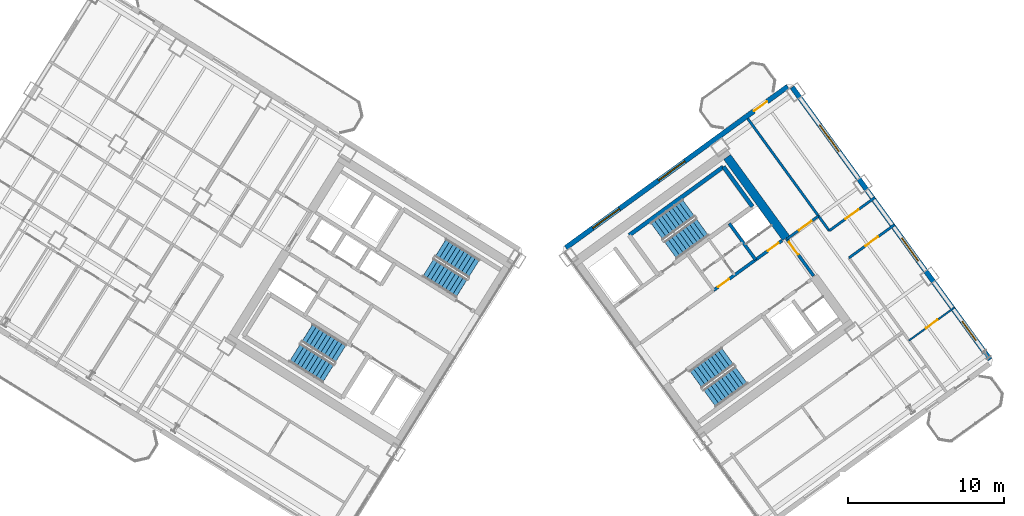
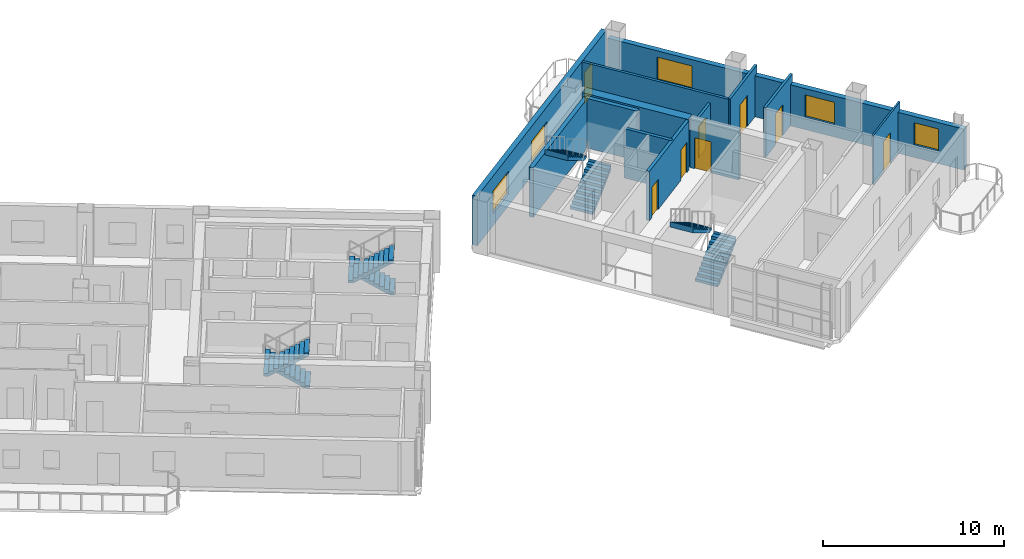
# One storey, part 14 of 18: 13 walls, 8 doors, 8 stair flights, 5 windows, 13 openings, 4 elements without a shape of their own.
"""IFC4 building model written with IfcOpenShell, lengths in metres."""

from ifc_helpers import new_model, si_unit, direction, frame, frame_2d, origin, place, context, subcontext, project, spatial, polyline, rectangle, outline, extrude, source, transform, mapped, material, layer, layer_set, type_object, element, fill, aggregate, save


model = new_model("IFC4")

# Units and contexts
model_context = context("Model", 3, precision=1e-05, world=origin(), true_north=direction((0.0, 1.0)))
body_context = subcontext(model_context, "Body", "Model", "MODEL_VIEW")
ifc_project = project(units=[si_unit("LENGTHUNIT", "METRE"), si_unit("AREAUNIT", "SQUARE_METRE"), si_unit("VOLUMEUNIT", "CUBIC_METRE"), si_unit("PLANEANGLEUNIT", "RADIAN"), si_unit("MASSUNIT", "GRAM", prefix="KILO")], contexts=[model_context])

# Site, building, storey
site_placement = place(None, origin())
site = spatial("IfcSite", under=ifc_project, at=site_placement, CompositionType="ELEMENT")
building_placement = place(site_placement, origin())
building = spatial("IfcBuilding", under=site, at=building_placement, Name="Tlacorven Tower", CompositionType="ELEMENT")
storey_placement = place(building_placement, frame((0.0, 0.0, 140.699951171875)))
storey = spatial("IfcBuildingStorey", under=building, at=storey_placement, Name="L35", CompositionType="ELEMENT", Elevation=140.699951171875)

# Wall
ifc_material_1 = material(Name="Concrete C60/75", Category="concrete")
ifc_layer_1 = layer(ifc_material_1, 0.550048828125)
ifc_layer_set_1 = layer_set([ifc_layer_1], Name="Concrete C60/75")
wall_type_1 = type_object("IfcWallType", Name="WL-COR-550", PredefinedType="SHEAR", material=ifc_layer_set_1)
wall_1_placement = place(storey_placement, frame((58.06396484375, 25.8134765625, 0.0), z_axis=(0.0, 0.0, 1.0), x_axis=(-0.587764933797, 0.809031756236, 0.0)))
element("IfcWall", 1, at=wall_1_placement, inside=storey, type_object=wall_type_1, Name="L35 E core end wall E2.2", PredefinedType="SHEAR", context=body_context, shape_type="SweptSolid", body=[
    extrude(rectangle(XDim=6.425048828125, YDim=0.550048828125, at=frame_2d((3.21240234375, 0.0))), origin(), (0.0, 0.0, 1.0), 3.35009765625),
])

# Wall, opening, door
ifc_material_2 = material(Name="Gypsum plasterboard acoustic partition", Category="gypsum")
ifc_layer_2 = layer(ifc_material_2, 0.159912109375)
ifc_layer_set_2 = layer_set([ifc_layer_2], Name="Gypsum plasterboard acoustic partition")
wall_type_2 = type_object("IfcWallType", Name="WL-DEM-160", PredefinedType="PARTITIONING", material=ifc_layer_set_2)
wall_2_placement = place(storey_placement, frame((58.111083984375, 25.748779296875, 0.0), z_axis=(0.0, 0.0, 1.0), x_axis=(0.809000999347, 0.58780726693, 0.0)))
wall_2 = element("IfcWall", 2, at=wall_2_placement, inside=storey, type_object=wall_type_2, Name="L35 partition 77", PredefinedType="PARTITIONING", context=body_context, shape_type="SweptSolid", body=[
    extrude(rectangle(XDim=2.510009765625, YDim=0.159912109375, at=frame_2d((1.2548828125, 0.0))), origin(), (0.0, 0.0, 1.0), 2.775146484375),
])
opening_1_placement = place(wall_2_placement, frame((0.949951171875, 0.0, 0.0)))
opening_1 = element("IfcOpeningElement", 3, at=opening_1_placement, cuts=wall_2, Name="Opening D11", PredefinedType="OPENING", context=body_context, shape_type="SweptSolid", body=[
    extrude(rectangle(XDim=1.0, YDim=2.10009765625, at=frame_2d((0.5, 1.050048828125))), frame((0.0, 0.08984375, 0.0), z_axis=(0.0, -1.0, 0.0), x_axis=(1.0, 0.0, 0.0)), (0.0, 0.0, 1.0), 0.179931640625),
])
ifc_material_3 = material(Name="Fire-rated steel door assembly", Category="steel")
door_type_1 = type_object("IfcDoorType", Name="DR-FLT-FD60-1000", OperationType="NOTDEFINED", PredefinedType="DOOR", material=ifc_material_3)
shared_shape_1 = source(origin(), body_context, "Body", "SweptSolid", [
    extrude(rectangle(XDim=1.0, YDim=2.10009765625, at=frame_2d((0.5, 1.050048828125))), frame((0.0, 0.02490234375, 0.0), z_axis=(0.0, -1.0, 0.0), x_axis=(1.0, 0.0, 0.0)), (0.0, 0.0, 1.0), 0.050048828125),
])
door_1_placement = place(opening_1_placement, origin())
door_1 = element("IfcDoor", 4, at=door_1_placement, inside=storey, type_object=door_type_1, Name="L35 door 048", OperationType="SINGLE_SWING_RIGHT", OverallHeight=2.10009765625, OverallWidth=1.0, PredefinedType="DOOR", context=body_context, shape_type="MappedRepresentation", body=[
    mapped(shared_shape_1, transform((0.0, 0.0, 0.0), scale=1.0)),
])
fill(opening_1, door_1)

# Wall
wall_3_placement = place(storey_placement, frame((60.829345703125, 26.277587890625, 0.0), z_axis=(0.0, 0.0, 1.0), x_axis=(-0.587781800813, 0.80901950201, 0.0)))
element("IfcWall", 5, at=wall_3_placement, inside=storey, type_object=wall_type_2, Name="L35 partition 79", PredefinedType="PARTITIONING", context=body_context, shape_type="SweptSolid", body=[
    extrude(rectangle(XDim=8.89990234375, YDim=0.159912109375, at=frame_2d((4.449951171875, 0.0))), origin(), (0.0, 0.0, 1.0), 3.340087890625),
])

# Wall, opening, door
wall_4_placement = place(storey_placement, frame((62.093017578125, 24.538330078125, 0.0), z_axis=(0.0, 0.0, 1.0), x_axis=(0.809035546126, 0.58775971715, 0.0)))
wall_4 = element("IfcWall", 6, at=wall_4_placement, inside=storey, type_object=wall_type_2, Name="L35 partition 81", PredefinedType="PARTITIONING", context=body_context, shape_type="SweptSolid", body=[
    extrude(rectangle(XDim=3.6298828125, YDim=0.159912109375, at=frame_2d((1.81494140625, 0.0))), origin(), (0.0, 0.0, 1.0), 3.340087890625),
])
opening_2_placement = place(wall_4_placement, frame((1.304931640625, 0.0, 0.0)))
opening_2 = element("IfcOpeningElement", 7, at=opening_2_placement, cuts=wall_4, Name="Opening D11", PredefinedType="OPENING", context=body_context, shape_type="SweptSolid", body=[
    extrude(rectangle(XDim=1.0, YDim=2.10009765625, at=frame_2d((0.5, 1.050048828125))), frame((0.0, 0.08984375, 0.0), z_axis=(0.0, -1.0, 0.0), x_axis=(1.0, 0.0, 0.0)), (0.0, 0.0, 1.0), 0.179931640625),
])
door_2_placement = place(opening_2_placement, origin())
door_2 = element("IfcDoor", 8, at=door_2_placement, inside=storey, type_object=door_type_1, Name="L35 door 051", OperationType="SINGLE_SWING_LEFT", OverallHeight=2.10009765625, OverallWidth=1.0, PredefinedType="DOOR", context=body_context, shape_type="MappedRepresentation", body=[
    mapped(shared_shape_1, transform((0.0, 0.0, 0.0), scale=1.0)),
])
fill(opening_2, door_2)

wall_5_placement = place(storey_placement, frame((60.829345703125, 26.277587890625, 0.0), z_axis=(0.0, 0.0, 1.0), x_axis=(0.809003564202, 0.587803736896, 0.0)))
wall_5 = element("IfcWall", 9, at=wall_5_placement, inside=storey, type_object=wall_type_2, Name="L35 partition 82", PredefinedType="PARTITIONING", context=body_context, shape_type="SweptSolid", body=[
    extrude(rectangle(XDim=3.630126953125, YDim=0.159912109375, at=frame_2d((1.81494140625, 0.0))), origin(), (0.0, 0.0, 1.0), 3.340087890625),
])
opening_3_placement = place(wall_5_placement, frame((1.304931640625, 0.0, 0.0)))
opening_3 = element("IfcOpeningElement", 10, at=opening_3_placement, cuts=wall_5, Name="Opening D11", PredefinedType="OPENING", context=body_context, shape_type="SweptSolid", body=[
    extrude(rectangle(XDim=1.0, YDim=2.10009765625, at=frame_2d((0.5, 1.050048828125))), frame((0.0, 0.08984375, 0.0), z_axis=(0.0, -1.0, 0.0), x_axis=(1.0, 0.0, 0.0)), (0.0, 0.0, 1.0), 0.179931640625),
])
door_3_placement = place(opening_3_placement, origin())
door_3 = element("IfcDoor", 11, at=door_3_placement, inside=storey, type_object=door_type_1, Name="L35 door 050", OperationType="SINGLE_SWING_LEFT", OverallHeight=2.10009765625, OverallWidth=1.0, PredefinedType="DOOR", context=body_context, shape_type="MappedRepresentation", body=[
    mapped(shared_shape_1, transform((0.0, 0.0, 0.0), scale=1.0)),
])
fill(opening_3, door_3)

# Wall, openings, door, windows
ifc_material_4 = material(Name="Precast concrete C45/55", Category="concrete")
ifc_layer_3 = layer(ifc_material_4, 0.320068359375)
ifc_layer_set_3 = layer_set([ifc_layer_3], Name="Precast concrete C45/55")
wall_type_3 = type_object("IfcWallType", Name="WL-EXT-320", PredefinedType="STANDARD", material=ifc_layer_set_3)
wall_6_placement = place(storey_placement, frame((43.93798828125, 25.191650390625, 0.0), z_axis=(0.0, 0.0, 1.0), x_axis=(0.809016324578, 0.587786174187, 0.0)))
wall_6 = element("IfcWall", 12, at=wall_6_placement, inside=storey, type_object=wall_type_3, Name="L35 Masonry-Frame Recessed Facade Wall 4", PredefinedType="STANDARD", context=body_context, shape_type="SweptSolid", body=[
    extrude(rectangle(XDim=17.58740234375, YDim=0.320068359375, at=frame_2d((8.793701171875, 0.0))), origin(), (0.0, 0.0, 1.0), 3.35009765625),
])
opening_4_placement = place(wall_6_placement, frame((14.913818359375, 0.0, 0.0)))
opening_4 = element("IfcOpeningElement", 13, at=opening_4_placement, cuts=wall_6, Name="Opening D06", PredefinedType="OPENING", context=body_context, shape_type="SweptSolid", body=[
    extrude(rectangle(XDim=1.050048828125, YDim=2.14990234375, at=frame_2d((0.52490234375, 1.074951171875))), frame((0.0, 0.169921875, 0.0), z_axis=(0.0, -1.0, 0.0), x_axis=(1.0, 0.0, 0.0)), (0.0, 0.0, 1.0), 0.340087890625),
])
opening_5_placement = place(wall_6_placement, frame((2.143798828125, 0.0, 0.800048828125)))
opening_5 = element("IfcOpeningElement", 14, at=opening_5_placement, cuts=wall_6, Name="Opening WN04", PredefinedType="OPENING", context=body_context, shape_type="SweptSolid", body=[
    extrude(rectangle(XDim=2.10009765625, YDim=1.550048828125, at=frame_2d((1.050048828125, 0.77490234375))), frame((0.0, 0.169921875, 0.0), z_axis=(0.0, -1.0, 0.0), x_axis=(1.0, 0.0, 0.0)), (0.0, 0.0, 1.0), 0.340087890625),
])
opening_6_placement = place(wall_6_placement, frame((7.34375, 0.0, 0.800048828125)))
opening_6 = element("IfcOpeningElement", 15, at=opening_6_placement, cuts=wall_6, Name="Opening WN04", PredefinedType="OPENING", context=body_context, shape_type="SweptSolid", body=[
    extrude(rectangle(XDim=2.10009765625, YDim=1.550048828125, at=frame_2d((1.050048828125, 0.77490234375))), frame((0.0, 0.169921875, 0.0), z_axis=(0.0, -1.0, 0.0), x_axis=(1.0, 0.0, 0.0)), (0.0, 0.0, 1.0), 0.340087890625),
])
ifc_material_5 = material(Name="Powder-coated aluminium and timber door", Category="wood")
door_type_2 = type_object("IfcDoorType", Name="DR-EXT-BALC-1050", OperationType="NOTDEFINED", PredefinedType="DOOR", material=ifc_material_5)
shared_shape_2 = source(origin(), body_context, "Body", "SweptSolid", [
    extrude(rectangle(XDim=1.050048828125, YDim=2.14990234375, at=frame_2d((0.52490234375, 1.074951171875))), frame((0.0, 0.02490234375, 0.0), z_axis=(0.0, -1.0, 0.0), x_axis=(1.0, 0.0, 0.0)), (0.0, 0.0, 1.0), 0.050048828125),
])
door_4_placement = place(opening_4_placement, origin())
door_4 = element("IfcDoor", 16, at=door_4_placement, inside=storey, type_object=door_type_2, Name="L35 Outdoor Access Door BAL-L35-E-IN", OperationType="SINGLE_SWING_RIGHT", OverallHeight=2.14990234375, OverallWidth=1.050048828125, PredefinedType="DOOR", context=body_context, shape_type="MappedRepresentation", body=[
    mapped(shared_shape_2, transform((0.0, 0.0, 0.0), scale=1.0)),
])
fill(opening_4, door_4)
ifc_material_6 = material(Name="Dark solar low-E double glazing in anodised aluminium frame", Category="aluminium")
window_type_1 = type_object("IfcWindowType", Name="WN-APT-2100X1750", PartitioningType="SINGLE_PANEL", PredefinedType="WINDOW", material=ifc_material_6)
shared_shape_3 = source(origin(), body_context, "Body", "SweptSolid", [
    extrude(rectangle(XDim=2.10009765625, YDim=1.550048828125, at=frame_2d((1.050048828125, 0.77490234375))), frame((0.0, 0.030029296875, 0.0), z_axis=(0.0, -1.0, 0.0), x_axis=(1.0, 0.0, 0.0)), (0.0, 0.0, 1.0), 0.06005859375),
])
window_1_placement = place(opening_5_placement, origin())
window_1 = element("IfcWindow", 17, at=window_1_placement, inside=storey, type_object=window_type_1, Name="L35 Recessed Masonry-Frame Window L35-04.1", OverallHeight=1.550048828125, OverallWidth=2.10009765625, PartitioningType="SINGLE_PANEL", PredefinedType="WINDOW", context=body_context, shape_type="MappedRepresentation", body=[
    mapped(shared_shape_3, transform((0.0, 0.0, 0.0), scale=1.0)),
])
fill(opening_5, window_1)
window_2_placement = place(opening_6_placement, origin())
window_2 = element("IfcWindow", 18, at=window_2_placement, inside=storey, type_object=window_type_1, Name="L35 Recessed Masonry-Frame Window L35-04.2", OverallHeight=1.550048828125, OverallWidth=2.10009765625, PartitioningType="SINGLE_PANEL", PredefinedType="WINDOW", context=body_context, shape_type="MappedRepresentation", body=[
    mapped(shared_shape_3, transform((0.0, 0.0, 0.0), scale=1.0)),
])
fill(opening_6, window_2)

# Wall, openings, windows
wall_7_placement = place(storey_placement, frame((58.45458984375, 35.483642578125, 0.0), z_axis=(0.0, 0.0, 1.0), x_axis=(0.587783625747, -0.809018176127, 0.0)))
wall_7 = element("IfcWall", 19, at=wall_7_placement, inside=storey, type_object=wall_type_3, Name="L35 Masonry-Frame Recessed Facade Wall 5", PredefinedType="STANDARD", context=body_context, shape_type="SweptSolid", body=[
    extrude(rectangle(XDim=21.58740234375, YDim=0.320068359375, at=frame_2d((10.793701171875, 0.0))), origin(), (0.0, 0.0, 1.0), 2.775146484375),
])
opening_7_placement = place(wall_7_placement, frame((2.99365234375, 0.0, 0.800048828125)))
opening_7 = element("IfcOpeningElement", 20, at=opening_7_placement, cuts=wall_7, Name="Opening WN04", PredefinedType="OPENING", context=body_context, shape_type="SweptSolid", body=[
    extrude(rectangle(XDim=2.10009765625, YDim=1.550048828125, at=frame_2d((1.050048828125, 0.77490234375))), frame((0.0, 0.169921875, 0.0), z_axis=(0.0, -1.0, 0.0), x_axis=(1.0, 0.0, 0.0)), (0.0, 0.0, 1.0), 0.340087890625),
])
opening_8_placement = place(wall_7_placement, frame((11.958740234375, 0.0, 0.85009765625)))
opening_8 = element("IfcOpeningElement", 21, at=opening_8_placement, cuts=wall_7, Name="Opening WN01", PredefinedType="OPENING", context=body_context, shape_type="SweptSolid", body=[
    extrude(rectangle(XDim=1.800048828125, YDim=1.5, at=frame_2d((0.89990234375, 0.75))), frame((0.0, 0.169921875, 0.0), z_axis=(0.0, -1.0, 0.0), x_axis=(1.0, 0.0, 0.0)), (0.0, 0.0, 1.0), 0.340087890625),
])
opening_9_placement = place(wall_7_placement, frame((18.559814453125, 0.0, 0.85009765625)))
opening_9 = element("IfcOpeningElement", 22, at=opening_9_placement, cuts=wall_7, Name="Opening WN02", PredefinedType="OPENING", context=body_context, shape_type="SweptSolid", body=[
    extrude(rectangle(XDim=1.5, YDim=1.5, at=frame_2d((0.75, 0.75))), frame((0.0, 0.169921875, 0.0), z_axis=(0.0, -1.0, 0.0), x_axis=(1.0, 0.0, 0.0)), (0.0, 0.0, 1.0), 0.340087890625),
])
window_3_placement = place(opening_7_placement, origin())
window_3 = element("IfcWindow", 23, at=window_3_placement, inside=storey, type_object=window_type_1, Name="L35 Recessed Masonry-Frame Window L35-05.1", OverallHeight=1.550048828125, OverallWidth=2.10009765625, PartitioningType="SINGLE_PANEL", PredefinedType="WINDOW", context=body_context, shape_type="MappedRepresentation", body=[
    mapped(shared_shape_3, transform((0.0, 0.0, 0.0), scale=1.0)),
])
fill(opening_7, window_3)
window_type_2 = type_object("IfcWindowType", Name="WN-APT-1800X1650", PartitioningType="SINGLE_PANEL", PredefinedType="WINDOW", material=ifc_material_6)
shared_shape_4 = source(origin(), body_context, "Body", "SweptSolid", [
    extrude(rectangle(XDim=1.800048828125, YDim=1.5, at=frame_2d((0.89990234375, 0.75))), frame((0.0, 0.030029296875, 0.0), z_axis=(0.0, -1.0, 0.0), x_axis=(1.0, 0.0, 0.0)), (0.0, 0.0, 1.0), 0.06005859375),
])
window_4_placement = place(opening_8_placement, origin())
window_4 = element("IfcWindow", 24, at=window_4_placement, inside=storey, type_object=window_type_2, Name="L35 Recessed Masonry-Frame Window L35-05.2", OverallHeight=1.5, OverallWidth=1.800048828125, PartitioningType="SINGLE_PANEL", PredefinedType="WINDOW", context=body_context, shape_type="MappedRepresentation", body=[
    mapped(shared_shape_4, transform((0.0, 0.0, 0.0), scale=1.0)),
])
fill(opening_8, window_4)
window_type_3 = type_object("IfcWindowType", Name="WN-APT-1500X1650", PartitioningType="SINGLE_PANEL", PredefinedType="WINDOW", material=ifc_material_6)
shared_shape_5 = source(origin(), body_context, "Body", "SweptSolid", [
    extrude(rectangle(XDim=1.5, YDim=1.5, at=frame_2d((0.75, 0.75))), frame((0.0, 0.030029296875, 0.0), z_axis=(0.0, -1.0, 0.0), x_axis=(1.0, 0.0, 0.0)), (0.0, 0.0, 1.0), 0.06005859375),
])
window_5_placement = place(opening_9_placement, origin())
window_5 = element("IfcWindow", 25, at=window_5_placement, inside=storey, type_object=window_type_3, Name="L35 Recessed Masonry-Frame Window L35-05.3", OverallHeight=1.5, OverallWidth=1.5, PartitioningType="SINGLE_PANEL", PredefinedType="WINDOW", context=body_context, shape_type="MappedRepresentation", body=[
    mapped(shared_shape_5, transform((0.0, 0.0, 0.0), scale=1.0)),
])
fill(opening_9, window_5)

# Wall, opening, door
ifc_material_7 = material(Name="Gypsum plasterboard partition", Category="gypsum")
ifc_layer_4 = layer(ifc_material_7, 0.110107421875)
ifc_layer_set_4 = layer_set([ifc_layer_4], Name="Gypsum plasterboard partition")
wall_type_4 = type_object("IfcWallType", Name="WL-INT-110", PredefinedType="PARTITIONING", material=ifc_layer_set_4)
wall_8_placement = place(storey_placement, frame((65.9443359375, 19.237548828125, 0.0), z_axis=(0.0, 0.0, 1.0), x_axis=(0.809013833588, 0.587789602718, 0.0)))
wall_8 = element("IfcWall", 26, at=wall_8_placement, inside=storey, type_object=wall_type_4, Name="L35 partition 83", PredefinedType="PARTITIONING", context=body_context, shape_type="SweptSolid", body=[
    extrude(rectangle(XDim=3.60986328125, YDim=0.110107421875, at=frame_2d((1.804931640625, 0.0))), origin(), (0.0, 0.0, 1.0), 3.340087890625),
])
opening_10_placement = place(wall_8_placement, frame((1.344970703125, 0.0, 0.0)))
opening_10 = element("IfcOpeningElement", 27, at=opening_10_placement, cuts=wall_8, Name="Opening D12", PredefinedType="OPENING", context=body_context, shape_type="SweptSolid", body=[
    extrude(rectangle(XDim=0.919921875, YDim=2.080078125, at=frame_2d((0.4599609375, 1.0400390625))), frame((0.0, 0.06494140625, 0.0), z_axis=(0.0, -1.0, 0.0), x_axis=(1.0, 0.0, 0.0)), (0.0, 0.0, 1.0), 0.130126953125),
])
door_type_3 = type_object("IfcDoorType", Name="DR-INT-ROOM-0920", OperationType="NOTDEFINED", PredefinedType="DOOR", material=ifc_material_5)
shared_shape_6 = source(origin(), body_context, "Body", "SweptSolid", [
    extrude(rectangle(XDim=0.919921875, YDim=2.080078125, at=frame_2d((0.4599609375, 1.0400390625))), frame((0.0, 0.02490234375, 0.0), z_axis=(0.0, -1.0, 0.0), x_axis=(1.0, 0.0, 0.0)), (0.0, 0.0, 1.0), 0.050048828125),
])
door_5_placement = place(opening_10_placement, origin())
door_5 = element("IfcDoor", 28, at=door_5_placement, inside=storey, type_object=door_type_3, Name="L35 door 052", OperationType="SINGLE_SWING_RIGHT", OverallHeight=2.080078125, OverallWidth=0.919921875, PredefinedType="DOOR", context=body_context, shape_type="MappedRepresentation", body=[
    mapped(shared_shape_6, transform((0.0, 0.0, 0.0), scale=1.0)),
])
fill(opening_10, door_5)

# Wall
ifc_material_8 = material(Name="Concrete C40/50", Category="concrete")
ifc_layer_5 = layer(ifc_material_8, 0.199951171875)
ifc_layer_set_5 = layer_set([ifc_layer_5], Name="Concrete C40/50")
wall_type_5 = type_object("IfcWallType", Name="WL-SHF-200", PredefinedType="STANDARD", material=ifc_layer_set_5)
wall_9_placement = place(storey_placement, frame((56.110595703125, 24.4189453125, 0.0), z_axis=(0.0, 0.0, 1.0), x_axis=(-0.58777848983, 0.809021907548, 0.0)))
element("IfcWall", 29, at=wall_9_placement, inside=storey, type_object=wall_type_5, Name="L35 partition 40", PredefinedType="STANDARD", context=body_context, shape_type="SweptSolid", body=[
    extrude(rectangle(XDim=2.880126953125, YDim=0.199951171875, at=frame_2d((1.43994140625, 0.0))), origin(), (0.0, 0.0, 1.0), 3.340087890625),
])

# Wall, openings, doors
wall_10_placement = place(storey_placement, frame((53.424560546875, 22.467529296875, 0.0), z_axis=(0.0, 0.0, 1.0), x_axis=(0.809024377198, 0.587775090574, 0.0)))
wall_10 = element("IfcWall", 30, at=wall_10_placement, inside=storey, type_object=wall_type_5, Name="L35 Core E North Service Wall", PredefinedType="STANDARD", context=body_context, shape_type="SweptSolid", body=[
    extrude(rectangle(XDim=5.41796875, YDim=0.199951171875, at=frame_2d((2.708984375, 0.0))), origin(), (0.0, 0.0, 1.0), 3.340087890625),
])
opening_11_placement = place(wall_10_placement, frame((4.280029296875, 0.0, 0.0)))
opening_11 = element("IfcOpeningElement", 31, at=opening_11_placement, cuts=wall_10, Name="Opening D19", PredefinedType="OPENING", context=body_context, shape_type="SweptSolid", body=[
    extrude(rectangle(XDim=0.860107421875, YDim=2.050048828125, at=frame_2d((0.43017578125, 1.02490234375))), frame((0.0, 0.10986328125, 0.0), z_axis=(0.0, -1.0, 0.0), x_axis=(1.0, 0.0, 0.0)), (0.0, 0.0, 1.0), 0.219970703125),
])
opening_12_placement = place(wall_10_placement, frame((0.35009765625, 0.0, 0.0)))
opening_12 = element("IfcOpeningElement", 32, at=opening_12_placement, cuts=wall_10, Name="Opening D19", PredefinedType="OPENING", context=body_context, shape_type="SweptSolid", body=[
    extrude(rectangle(XDim=0.860107421875, YDim=2.050048828125, at=frame_2d((0.43017578125, 1.02490234375))), frame((0.0, 0.10986328125, 0.0), z_axis=(0.0, -1.0, 0.0), x_axis=(1.0, 0.0, 0.0)), (0.0, 0.0, 1.0), 0.219970703125),
])
door_type_4 = type_object("IfcDoorType", Name="DR-RSR-FD60-0860", OperationType="NOTDEFINED", PredefinedType="DOOR", material=ifc_material_3)
shared_shape_7 = source(origin(), body_context, "Body", "SweptSolid", [
    extrude(rectangle(XDim=0.860107421875, YDim=2.050048828125, at=frame_2d((0.43017578125, 1.02490234375))), frame((0.0, 0.02490234375, 0.0), z_axis=(0.0, -1.0, 0.0), x_axis=(1.0, 0.0, 0.0)), (0.0, 0.0, 1.0), 0.050048828125),
])
door_6_placement = place(opening_11_placement, frame((0.860107421875, 0.0, 0.0), z_axis=(0.0, 0.0, 1.0), x_axis=(-1.0, 0.0, 0.0)))
door_6 = element("IfcDoor", 33, at=door_6_placement, inside=storey, type_object=door_type_4, Name="L35 Electrical Riser Access Door E", OperationType="SINGLE_SWING_LEFT", OverallHeight=2.050048828125, OverallWidth=0.860107421875, PredefinedType="DOOR", context=body_context, shape_type="MappedRepresentation", body=[
    mapped(shared_shape_7, transform((0.0, 0.0, 0.0), scale=1.0)),
])
fill(opening_11, door_6)
door_7_placement = place(opening_12_placement, frame((0.860107421875, 0.0, 0.0), z_axis=(0.0, 0.0, 1.0), x_axis=(-1.0, 0.0, 0.0)))
door_7 = element("IfcDoor", 34, at=door_7_placement, inside=storey, type_object=door_type_4, Name="L35 Cleaning Room Access Door E", OperationType="SINGLE_SWING_RIGHT", OverallHeight=2.050048828125, OverallWidth=0.860107421875, PredefinedType="DOOR", context=body_context, shape_type="MappedRepresentation", body=[
    mapped(shared_shape_7, transform((0.0, 0.0, 0.0), scale=1.0)),
])
fill(opening_12, door_7)

# Wall, opening, door
wall_11_placement = place(storey_placement, frame((59.827392578125, 23.386474609375, 0.0), z_axis=(0.0, 0.0, 1.0), x_axis=(-0.587803840107, 0.809003489211, 0.0)))
wall_11 = element("IfcWall", 35, at=wall_11_placement, inside=storey, type_object=wall_type_5, Name="L35 partition 75", PredefinedType="STANDARD", context=body_context, shape_type="SweptSolid", body=[
    extrude(rectangle(XDim=2.960205078125, YDim=0.199951171875, at=frame_2d((1.47998046875, 0.0))), origin(), (0.0, 0.0, 1.0), 3.340087890625),
])
opening_13_placement = place(wall_11_placement, frame((1.679931640625, 0.0, 0.0)))
opening_13 = element("IfcOpeningElement", 36, at=opening_13_placement, cuts=wall_11, Name="Opening D11", PredefinedType="OPENING", context=body_context, shape_type="SweptSolid", body=[
    extrude(rectangle(XDim=1.0, YDim=2.10009765625, at=frame_2d((0.5, 1.050048828125))), frame((0.0, 0.10986328125, 0.0), z_axis=(0.0, -1.0, 0.0), x_axis=(1.0, 0.0, 0.0)), (0.0, 0.0, 1.0), 0.219970703125),
])
door_8_placement = place(opening_13_placement, origin())
door_8 = element("IfcDoor", 37, at=door_8_placement, inside=storey, type_object=door_type_1, Name="L35 door 049", OperationType="SINGLE_SWING_LEFT", OverallHeight=2.10009765625, OverallWidth=1.0, PredefinedType="DOOR", context=body_context, shape_type="MappedRepresentation", body=[
    mapped(shared_shape_1, transform((0.0, 0.0, 0.0), scale=1.0)),
])
fill(opening_13, door_8)

# Walls
ifc_material_9 = material(Name="Concrete C50/60", Category="concrete")
ifc_layer_6 = layer(ifc_material_9, 0.260009765625)
ifc_layer_set_6 = layer_set([ifc_layer_6], Name="Concrete C50/60")
wall_type_6 = type_object("IfcWallType", Name="WL-STW-260", PredefinedType="SHEAR", material=ifc_layer_set_6)
wall_12_placement = place(storey_placement, frame((48.005615234375, 25.996337890625, 0.0), z_axis=(0.0, 0.0, 1.0), x_axis=(0.80901903764, 0.587782439969, 0.0)))
element("IfcWall", 38, at=wall_12_placement, inside=storey, type_object=wall_type_6, Name="L35 Stair E1 Far Shear Wall", PredefinedType="SHEAR", context=body_context, shape_type="SweptSolid", body=[
    extrude(rectangle(XDim=7.4599609375, YDim=0.260009765625, at=frame_2d((3.72998046875, 0.0))), origin(), (0.0, 0.0, 1.0), 3.35009765625),
])
wall_13_placement = place(storey_placement, frame((55.906494140625, 27.83056640625, 0.0), z_axis=(0.0, 0.0, 1.0), x_axis=(-0.587804123638, 0.809003283204, 0.0)))
element("IfcWall", 39, at=wall_13_placement, inside=storey, type_object=wall_type_6, Name="L35 Stair E1 East Shear Wall", PredefinedType="SHEAR", context=body_context, shape_type="SweptSolid", body=[
    extrude(rectangle(XDim=3.159912109375, YDim=0.260009765625, at=frame_2d((1.580078125, 0.0))), origin(), (0.0, 0.0, 1.0), 3.35009765625),
])

# Stair, stair flights
stair_type = type_object("IfcStairType", Name="ST-CORE-DLG", PredefinedType="HALF_TURN_STAIR", material=ifc_material_8)
stair_1_placement = place(storey_placement, origin())
stair_1 = element("IfcStair", 40, at=stair_1_placement, inside=storey, type_object=stair_type, Name="L35 Protected Exit Stair West 1", PredefinedType="HALF_TURN_STAIR")
stair_flight_type = type_object("IfcStairFlightType", Name="SFL-RC-1380", PredefinedType="STRAIGHT", material=ifc_material_8)
shared_shape_8 = source(origin(), body_context, "Body", "SweptSolid", [
    extrude(outline(polyline([(-0.0029296875, -0.0029296875), (-0.0029296875, 0.179931640625), (0.280029296875, 0.179931640625), (0.280029296875, 0.360107421875), (0.56005859375, 0.360107421875), (0.56005859375, 0.5400390625), (0.840087890625, 0.5400390625), (0.840087890625, 0.719970703125), (1.1201171875, 0.719970703125), (1.1201171875, 0.89990234375), (1.39990234375, 0.89990234375), (1.39990234375, 1.080078125), (1.679931640625, 1.080078125), (1.679931640625, 1.260009765625), (1.9599609375, 1.260009765625), (1.9599609375, 1.43994140625), (2.239990234375, 1.43994140625), (2.239990234375, 1.6201171875), (2.52001953125, 1.6201171875), (2.52001953125, 1.800048828125), (2.52294921875, 1.800048828125), (2.52294921875, 1.429931640625), (2.52001953125, 1.429931640625), (0.295654296875, 0.0), (0.295654296875, -0.0029296875), (-0.0029296875, -0.0029296875)])), frame((0.0, 0.68994140625, 0.0), z_axis=(0.0, -1.0, 0.0), x_axis=(1.0, 0.0, 0.0)), (0.0, 0.0, 1.0), 1.3798828125),
])
stair_flight_1_placement = place(storey_placement, frame((29.499755859375, 18.39453125, 0.0), z_axis=(0.0, 0.0, 1.0), x_axis=(-0.848048096156, 0.529919264233, 0.0)))
stair_flight_1 = element("IfcStairFlight", 41, at=stair_flight_1_placement, type_object=stair_flight_type, Name="ST-W1 flight 1", NumberOfRisers=10, NumberOfTreads=9, PredefinedType="STRAIGHT", RiserHeight=0.18, TreadLength=0.28, context=body_context, shape_type="MappedRepresentation", body=[
    mapped(shared_shape_8, transform((0.0, 0.0, 0.0), scale=1.0)),
])
stair_flight_2_placement = place(storey_placement, frame((26.56787109375, 18.4580078125, 1.800048828125), z_axis=(0.0, 0.0, 1.0), x_axis=(0.848048096156, -0.529919264233, 0.0)))
stair_flight_2 = element("IfcStairFlight", 42, at=stair_flight_2_placement, type_object=stair_flight_type, Name="ST-W1 flight 2", NumberOfRisers=10, NumberOfTreads=9, PredefinedType="STRAIGHT", RiserHeight=0.18, TreadLength=0.28, context=body_context, shape_type="MappedRepresentation", body=[
    mapped(shared_shape_8, transform((0.0, 0.0, 0.0), scale=1.0)),
])
aggregate(stair_1, [stair_flight_1, stair_flight_2])

stair_2_placement = place(storey_placement, origin())
stair_2 = element("IfcStair", 43, at=stair_2_placement, inside=storey, type_object=stair_type, Name="L35 Protected Exit Stair West 2", PredefinedType="HALF_TURN_STAIR")
stair_flight_3_placement = place(storey_placement, frame((38.051513671875, 23.852294921875, 0.0), z_axis=(0.0, 0.0, 1.0), x_axis=(-0.848048096156, 0.529919264233, 0.0)))
stair_flight_3 = element("IfcStairFlight", 44, at=stair_flight_3_placement, type_object=stair_flight_type, Name="ST-W2 flight 1", NumberOfRisers=10, NumberOfTreads=9, PredefinedType="STRAIGHT", RiserHeight=0.18, TreadLength=0.28, context=body_context, shape_type="MappedRepresentation", body=[
    mapped(shared_shape_8, transform((0.0, 0.0, 0.0), scale=1.0)),
])
stair_flight_4_placement = place(storey_placement, frame((35.119384765625, 23.91552734375, 1.800048828125), z_axis=(0.0, 0.0, 1.0), x_axis=(0.848048096156, -0.529919264233, 0.0)))
stair_flight_4 = element("IfcStairFlight", 45, at=stair_flight_4_placement, type_object=stair_flight_type, Name="ST-W2 flight 2", NumberOfRisers=10, NumberOfTreads=9, PredefinedType="STRAIGHT", RiserHeight=0.18, TreadLength=0.28, context=body_context, shape_type="MappedRepresentation", body=[
    mapped(shared_shape_8, transform((0.0, 0.0, 0.0), scale=1.0)),
])
aggregate(stair_2, [stair_flight_3, stair_flight_4])

stair_3_placement = place(storey_placement, origin())
stair_3 = element("IfcStair", 46, at=stair_3_placement, inside=storey, type_object=stair_type, Name="L35 Protected Exit Stair East 1", PredefinedType="HALF_TURN_STAIR")
stair_flight_5_placement = place(storey_placement, frame((50.6533203125, 25.0400390625, 0.0), z_axis=(0.0, 0.0, 1.0), x_axis=(0.809016994375, 0.587785252292, 0.0)))
stair_flight_5 = element("IfcStairFlight", 47, at=stair_flight_5_placement, type_object=stair_flight_type, Name="ST-E1 flight 1", NumberOfRisers=10, NumberOfTreads=9, PredefinedType="STRAIGHT", RiserHeight=0.18, TreadLength=0.28, context=body_context, shape_type="MappedRepresentation", body=[
    mapped(shared_shape_8, transform((0.0, 0.0, 0.0), scale=1.0)),
])
stair_flight_6_placement = place(storey_placement, frame((51.810546875, 27.734619140625, 1.800048828125), z_axis=(0.0, 0.0, 1.0), x_axis=(-0.809016994375, -0.587785252292, 0.0)))
stair_flight_6 = element("IfcStairFlight", 48, at=stair_flight_6_placement, type_object=stair_flight_type, Name="ST-E1 flight 2", NumberOfRisers=10, NumberOfTreads=9, PredefinedType="STRAIGHT", RiserHeight=0.18, TreadLength=0.28, context=body_context, shape_type="MappedRepresentation", body=[
    mapped(shared_shape_8, transform((0.0, 0.0, 0.0), scale=1.0)),
])
aggregate(stair_3, [stair_flight_5, stair_flight_6])

stair_4_placement = place(storey_placement, origin())
stair_4 = element("IfcStair", 49, at=stair_4_placement, inside=storey, type_object=stair_type, Name="L35 Protected Exit Stair East 2", PredefinedType="HALF_TURN_STAIR")
stair_flight_7_placement = place(storey_placement, frame((53.157470703125, 15.536865234375, 0.0), z_axis=(0.0, 0.0, 1.0), x_axis=(0.809016994375, 0.587785252292, 0.0)))
stair_flight_7 = element("IfcStairFlight", 50, at=stair_flight_7_placement, type_object=stair_flight_type, Name="ST-E2 flight 1", NumberOfRisers=10, NumberOfTreads=9, PredefinedType="STRAIGHT", RiserHeight=0.18, TreadLength=0.28, context=body_context, shape_type="MappedRepresentation", body=[
    mapped(shared_shape_8, transform((0.0, 0.0, 0.0), scale=1.0)),
])
stair_flight_8_placement = place(storey_placement, frame((54.314453125, 18.231689453125, 1.800048828125), z_axis=(0.0, 0.0, 1.0), x_axis=(-0.809016994375, -0.587785252292, 0.0)))
stair_flight_8 = element("IfcStairFlight", 51, at=stair_flight_8_placement, type_object=stair_flight_type, Name="ST-E2 flight 2", NumberOfRisers=10, NumberOfTreads=9, PredefinedType="STRAIGHT", RiserHeight=0.18, TreadLength=0.28, context=body_context, shape_type="MappedRepresentation", body=[
    mapped(shared_shape_8, transform((0.0, 0.0, 0.0), scale=1.0)),
])
aggregate(stair_4, [stair_flight_7, stair_flight_8])

save(model, "model.ifc")
